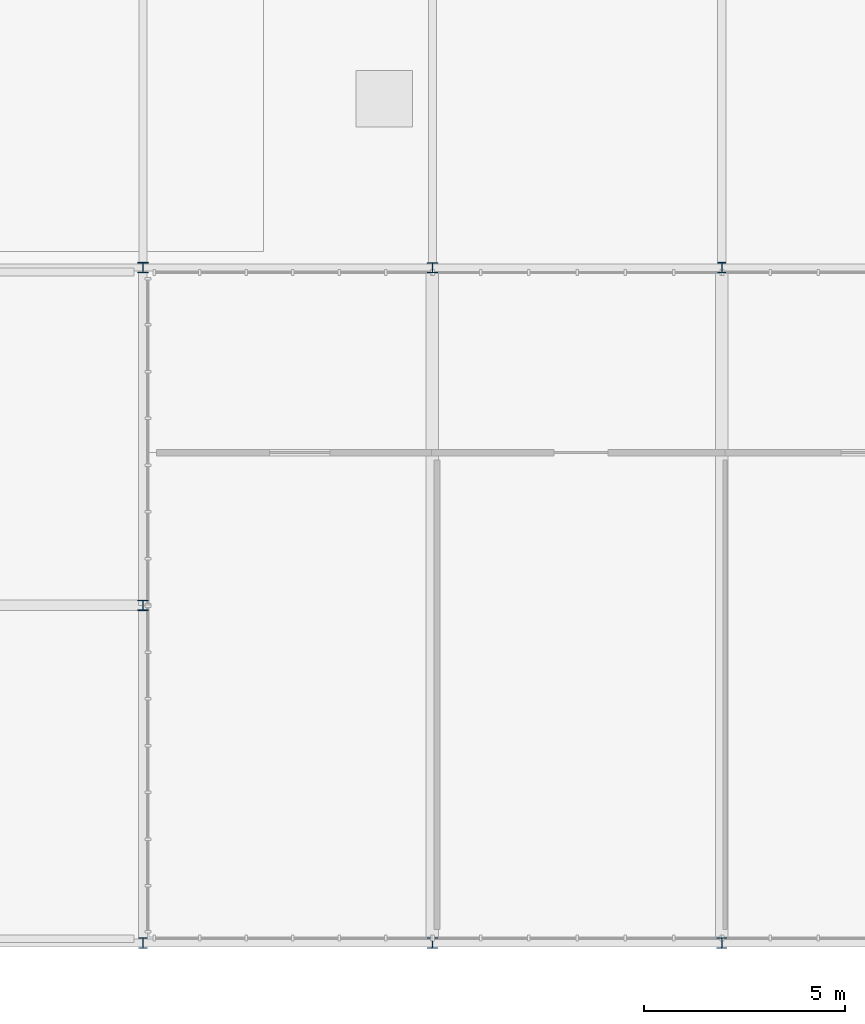
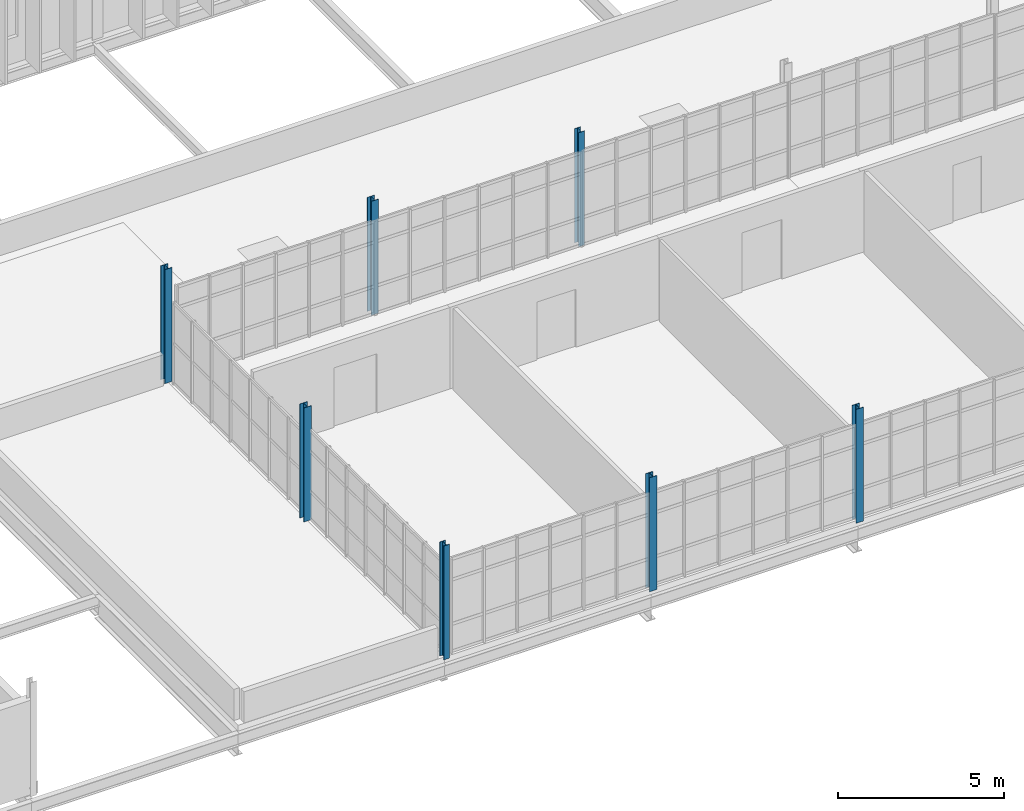
# One storey, part 9 of 119: 7 columns.
"""IFC4 building model written with IfcOpenShell, lengths in metres."""

from ifc_helpers import new_model, si_unit, direction, frame, origin, origin_2d, place, context, subcontext, project, spatial, i_section, extrude, material, material_profile, profile_set, type_object, element, save


model = new_model("IFC4")

# Units and contexts
model_context = context("Model", 3, precision=1e-05, world=origin(), true_north=direction((0.0, 1.0)))
body_context = subcontext(model_context, "Body", "Model", "MODEL_VIEW")
ifc_project = project(units=[si_unit("LENGTHUNIT", "METRE"), si_unit("AREAUNIT", "SQUARE_METRE"), si_unit("VOLUMEUNIT", "CUBIC_METRE"), si_unit("PLANEANGLEUNIT", "RADIAN"), si_unit("MASSUNIT", "GRAM", prefix="KILO")], contexts=[model_context])

# Site, building, storey
site_placement = place(None, origin())
site = spatial("IfcSite", under=ifc_project, at=site_placement, CompositionType="ELEMENT")
building_placement = place(site_placement, origin())
building = spatial("IfcBuilding", under=site, at=building_placement, Name="Qelthora Terrace Specialist Clinic", CompositionType="ELEMENT")
storey_placement = place(building_placement, frame((0.0, 0.0, 4.800048828125)))
storey = spatial("IfcBuildingStorey", under=building, at=storey_placement, Name="L01", CompositionType="ELEMENT", Elevation=4.800048828125)

# Columns
ifc_material = material(Name="Steel S355", Category="steel")
ifc_material_profile_1 = material_profile(ifc_material, i_section(OverallWidth=0.2041015625, OverallDepth=0.257080078125, WebThickness=0.0087890625, FlangeThickness=0.015625, FilletRadius=0.012939453125, at=origin_2d()), Name="W250X67")
ifc_profile_set_1 = profile_set([ifc_material_profile_1], Name="Steel S355")
column_type_1 = type_object("IfcColumnType", Name="COL-W250X67", PredefinedType="COLUMN", material=ifc_profile_set_1)
for number, where, z_axis, x_axis, name in (
    (1, (108.0, 0.0, 0.0), (0.0, 0.0, 1.0), (1.0, 0.0, 0.0), "Column L01-175"),
    (2, (122.39990234375, 16.800048828125, 0.0), (0.0, 0.0, 1.0), (1.0, 0.0, 0.0), "Column L01-199"),
):
    element("IfcColumn", number, at=place(storey_placement, frame(where, z_axis=z_axis, x_axis=x_axis)), inside=storey, type_object=column_type_1, Name=name, PredefinedType="COLUMN", context=body_context, shape_type="SweptSolid", body=[
        extrude(i_section(OverallWidth=0.2041015625, OverallDepth=0.257080078125, WebThickness=0.0087890625, FlangeThickness=0.015625, FilletRadius=0.012939453125, at=origin_2d()), origin(), (0.0, 0.0, 1.0), 4.199951171875),
    ])
ifc_material_profile_2 = material_profile(ifc_material, i_section(OverallWidth=0.25390625, OverallDepth=0.2529296875, WebThickness=0.008544921875, FlangeThickness=0.01416015625, FilletRadius=0.012939453125, at=origin_2d()), Name="W250X73")
ifc_profile_set_2 = profile_set([ifc_material_profile_2], Name="Steel S355")
column_type_2 = type_object("IfcColumnType", Name="COL-W250X73", PredefinedType="COLUMN", material=ifc_profile_set_2)
for number, where, z_axis, x_axis, name in (
    (3, (115.199951171875, 16.800048828125, 0.0), (0.0, 0.0, 1.0), (1.0, 0.0, 0.0), "Column L01-190"),
    (4, (122.39990234375, 0.0, 0.0), (0.0, 0.0, 1.0), (1.0, 0.0, 0.0), "Column L01-198"),
):
    element("IfcColumn", number, at=place(storey_placement, frame(where, z_axis=z_axis, x_axis=x_axis)), inside=storey, type_object=column_type_2, Name=name, PredefinedType="COLUMN", context=body_context, shape_type="SweptSolid", body=[
        extrude(i_section(OverallWidth=0.25390625, OverallDepth=0.2529296875, WebThickness=0.008544921875, FlangeThickness=0.01416015625, FilletRadius=0.012939453125, at=origin_2d()), origin(), (0.0, 0.0, 1.0), 4.199951171875),
    ])
ifc_material_profile_3 = material_profile(ifc_material, i_section(OverallWidth=0.2548828125, OverallDepth=0.256103515625, WebThickness=0.009521484375, FlangeThickness=0.015625, FilletRadius=0.012939453125, at=origin_2d()), Name="W250X80")
ifc_profile_set_3 = profile_set([ifc_material_profile_3], Name="Steel S355")
column_type_3 = type_object("IfcColumnType", Name="COL-W250X80", PredefinedType="COLUMN", material=ifc_profile_set_3)
for number, where, z_axis, x_axis, name in (
    (5, (108.0, 16.800048828125, 0.0), (0.0, 0.0, 1.0), (1.0, 0.0, 0.0), "Column L01-177"),
    (6, (115.199951171875, 0.0, 0.0), (0.0, 0.0, 1.0), (1.0, 0.0, 0.0), "Column L01-189"),
):
    element("IfcColumn", number, at=place(storey_placement, frame(where, z_axis=z_axis, x_axis=x_axis)), inside=storey, type_object=column_type_3, Name=name, PredefinedType="COLUMN", context=body_context, shape_type="SweptSolid", body=[
        extrude(i_section(OverallWidth=0.2548828125, OverallDepth=0.256103515625, WebThickness=0.009521484375, FlangeThickness=0.015625, FilletRadius=0.012939453125, at=origin_2d()), origin(), (0.0, 0.0, 1.0), 4.199951171875),
    ])
ifc_material_profile_4 = material_profile(ifc_material, i_section(OverallWidth=0.256103515625, OverallDepth=0.260009765625, WebThickness=0.0107421875, FlangeThickness=0.017333984375, FilletRadius=0.012939453125, at=origin_2d()), Name="W250X89")
ifc_profile_set_4 = profile_set([ifc_material_profile_4], Name="Steel S355")
column_type_4 = type_object("IfcColumnType", Name="COL-W250X89", PredefinedType="COLUMN", material=ifc_profile_set_4)
column_placement = place(storey_placement, frame((108.0, 8.39990234375, 0.0), z_axis=(0.0, 0.0, 1.0), x_axis=(1.0, 0.0, 0.0)))
element("IfcColumn", 7, at=column_placement, inside=storey, type_object=column_type_4, Name="Column L01-176", PredefinedType="COLUMN", context=body_context, shape_type="SweptSolid", body=[
    extrude(i_section(OverallWidth=0.256103515625, OverallDepth=0.260009765625, WebThickness=0.0107421875, FlangeThickness=0.017333984375, FilletRadius=0.012939453125, at=origin_2d()), origin(), (0.0, 0.0, 1.0), 4.199951171875),
])

save(model, "model.ifc")
